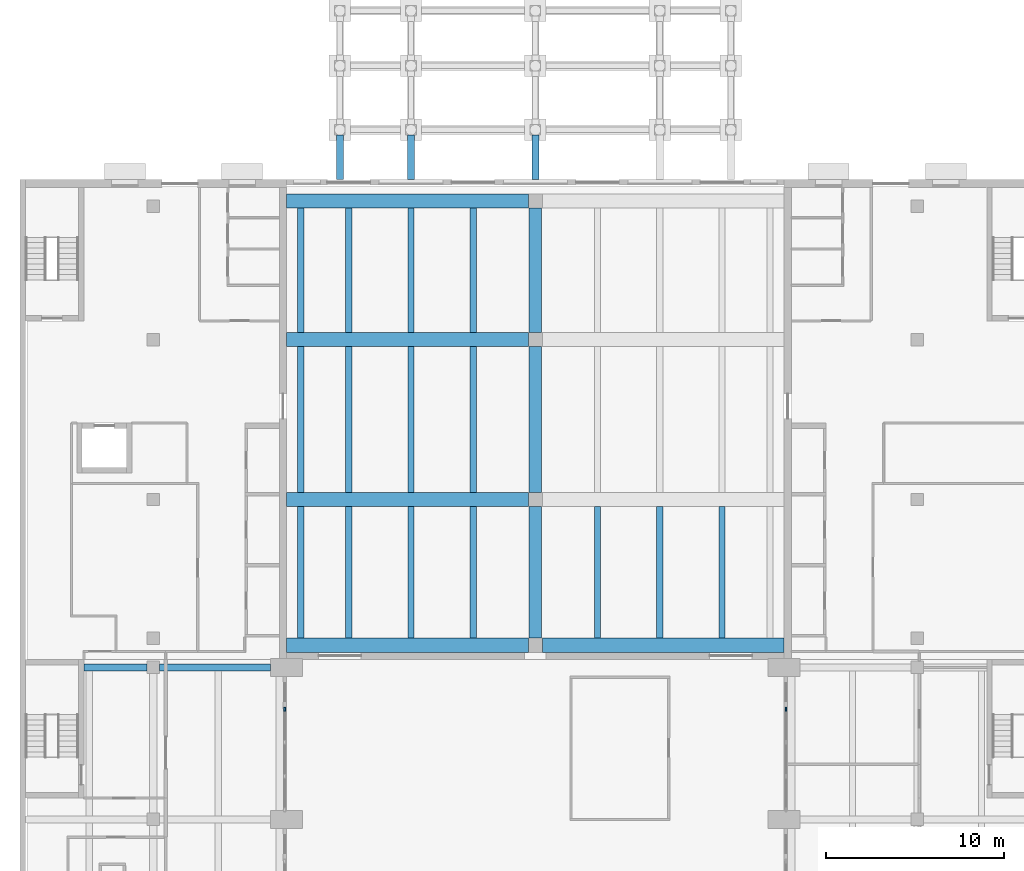
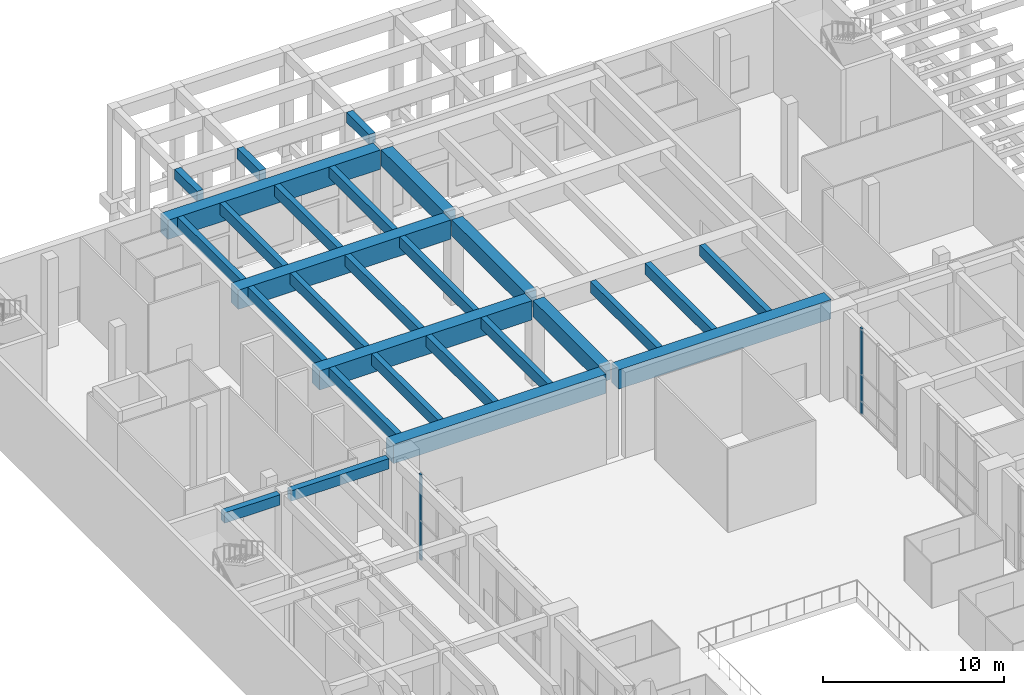
# One storey, part 20 of 51: 28 beams, 2 members, 2 elements without a shape of their own.
"""IFC4 building model written with IfcOpenShell, lengths in metres."""

from ifc_helpers import new_model, si_unit, direction, frame, origin, origin_2d, place, context, subcontext, project, spatial, rectangle, extrude, material, material_profile, profile_set, type_object, element, aggregate, save


model = new_model("IFC4")

# Units and contexts
model_context = context("Model", 3, precision=1e-05, world=origin(), true_north=direction((0.0, 1.0)))
body_context = subcontext(model_context, "Body", "Model", "MODEL_VIEW")
ifc_project = project(units=[si_unit("LENGTHUNIT", "METRE"), si_unit("AREAUNIT", "SQUARE_METRE"), si_unit("VOLUMEUNIT", "CUBIC_METRE"), si_unit("PLANEANGLEUNIT", "RADIAN"), si_unit("MASSUNIT", "GRAM", prefix="KILO")], contexts=[model_context])

# Site, building, storey
site_placement = place(None, origin())
site = spatial("IfcSite", under=ifc_project, at=site_placement, CompositionType="ELEMENT")
building_placement = place(site_placement, origin())
building = spatial("IfcBuilding", under=site, at=building_placement, Name="Elmora Arch Market Hall", CompositionType="ELEMENT")
storey_placement = place(building_placement, origin())
storey = spatial("IfcBuildingStorey", under=building, at=storey_placement, Name="L00", CompositionType="ELEMENT", Elevation=0.0)

# Beams
ifc_material_1 = material(Name="Concrete C32/40", Category="concrete")
ifc_material_profile_1 = material_profile(ifc_material_1, rectangle(XDim=0.800048828125, YDim=1.300048828125, at=origin_2d()), Name="Bridge girder 800x1300")
ifc_profile_set_1 = profile_set([ifc_material_profile_1], Name="Concrete C32/40")
beam_type_1 = type_object("IfcBeamType", Name="Bridge girder 800x1300", PredefinedType="BEAM", material=ifc_profile_set_1)
for number, where, z_axis, x_axis, name in (
    (1, (15.0, 99.800048828125, 5.14990234375), (1.0, 0.0, 0.0), (0.0, 1.0, 0.0), "Bridge girder NR1 L00.1"),
    (2, (29.39990234375, 99.800048828125, 5.14990234375), (1.0, 0.0, 0.0), (0.0, 1.0, 0.0), "Bridge girder NR1 L00.2"),
    (3, (15.0, 108.0, 5.14990234375), (1.0, 0.0, 0.0), (0.0, 1.0, 0.0), "Bridge girder NR2 L00.1"),
    (4, (15.0, 117.0, 5.14990234375), (1.0, 0.0, 0.0), (0.0, 1.0, 0.0), "Bridge girder NR3 L00.1"),
    (5, (15.0, 124.800048828125, 5.14990234375), (1.0, 0.0, 0.0), (0.0, 1.0, 0.0), "Bridge girder NR4 L00.1"),
):
    element("IfcBeam", number, at=place(storey_placement, frame(where, z_axis=z_axis, x_axis=x_axis)), inside=storey, type_object=beam_type_1, Name=name, PredefinedType="BEAM", context=body_context, shape_type="SweptSolid", body=[
        extrude(rectangle(XDim=0.800048828125, YDim=1.300048828125, at=origin_2d()), origin(), (0.0, 0.0, 1.0), 13.60009765625),
    ])
ifc_material_2 = material(Name="Concrete C32/40", Category="concrete")
ifc_material_profile_2 = material_profile(ifc_material_2, rectangle(XDim=0.35009765625, YDim=0.75, at=origin_2d()), Name="Bridge joist 350x750")
ifc_profile_set_2 = profile_set([ifc_material_profile_2], Name="Concrete C32/40")
beam_type_2 = type_object("IfcBeamType", Name="Bridge joist 350x750", PredefinedType="JOIST", material=ifc_profile_set_2)
beam_1_placement = place(storey_placement, frame((15.800048828125, 100.199951171875, 5.425048828125), z_axis=(0.0, 1.0, 0.0), x_axis=(-1.0, 0.0, 0.0)))
element("IfcBeam", 6, at=beam_1_placement, inside=storey, type_object=beam_type_2, Name="Bridge joist NJ1 L00.1", PredefinedType="JOIST", context=body_context, shape_type="SweptSolid", body=[
    extrude(rectangle(XDim=0.35009765625, YDim=0.75, at=origin_2d()), origin(), (0.0, 0.0, 1.0), 7.400146484375),
])
beam_2_placement = place(storey_placement, frame((15.800048828125, 108.39990234375, 5.425048828125), z_axis=(0.0, 1.0, 0.0), x_axis=(-1.0, 0.0, 0.0)))
element("IfcBeam", 7, at=beam_2_placement, inside=storey, type_object=beam_type_2, Name="Bridge joist NJ1 L00.2", PredefinedType="JOIST", context=body_context, shape_type="SweptSolid", body=[
    extrude(rectangle(XDim=0.35009765625, YDim=0.75, at=origin_2d()), origin(), (0.0, 0.0, 1.0), 8.2001953125),
])
beam_3_placement = place(storey_placement, frame((15.800048828125, 117.39990234375, 5.425048828125), z_axis=(0.0, 1.0, 0.0), x_axis=(-1.0, 0.0, 0.0)))
element("IfcBeam", 8, at=beam_3_placement, inside=storey, type_object=beam_type_2, Name="Bridge joist NJ1 L00.3", PredefinedType="JOIST", context=body_context, shape_type="SweptSolid", body=[
    extrude(rectangle(XDim=0.35009765625, YDim=0.75, at=origin_2d()), origin(), (0.0, 0.0, 1.0), 7.0),
])
beam_4_placement = place(storey_placement, frame((18.5, 100.199951171875, 5.425048828125), z_axis=(0.0, 1.0, 0.0), x_axis=(-1.0, 0.0, 0.0)))
element("IfcBeam", 9, at=beam_4_placement, inside=storey, type_object=beam_type_2, Name="Bridge joist NJ2 L00.1", PredefinedType="JOIST", context=body_context, shape_type="SweptSolid", body=[
    extrude(rectangle(XDim=0.35009765625, YDim=0.75, at=origin_2d()), origin(), (0.0, 0.0, 1.0), 7.400146484375),
])
beam_5_placement = place(storey_placement, frame((18.5, 108.39990234375, 5.425048828125), z_axis=(0.0, 1.0, 0.0), x_axis=(-1.0, 0.0, 0.0)))
element("IfcBeam", 10, at=beam_5_placement, inside=storey, type_object=beam_type_2, Name="Bridge joist NJ2 L00.2", PredefinedType="JOIST", context=body_context, shape_type="SweptSolid", body=[
    extrude(rectangle(XDim=0.35009765625, YDim=0.75, at=origin_2d()), origin(), (0.0, 0.0, 1.0), 8.2001953125),
])
beam_6_placement = place(storey_placement, frame((18.5, 117.39990234375, 5.425048828125), z_axis=(0.0, 1.0, 0.0), x_axis=(-1.0, 0.0, 0.0)))
element("IfcBeam", 11, at=beam_6_placement, inside=storey, type_object=beam_type_2, Name="Bridge joist NJ2 L00.3", PredefinedType="JOIST", context=body_context, shape_type="SweptSolid", body=[
    extrude(rectangle(XDim=0.35009765625, YDim=0.75, at=origin_2d()), origin(), (0.0, 0.0, 1.0), 7.0),
])
beam_7_placement = place(storey_placement, frame((22.0, 100.199951171875, 5.425048828125), z_axis=(0.0, 1.0, 0.0), x_axis=(-1.0, 0.0, 0.0)))
element("IfcBeam", 12, at=beam_7_placement, inside=storey, type_object=beam_type_2, Name="Bridge joist NJ3 L00.1", PredefinedType="JOIST", context=body_context, shape_type="SweptSolid", body=[
    extrude(rectangle(XDim=0.35009765625, YDim=0.75, at=origin_2d()), origin(), (0.0, 0.0, 1.0), 7.400146484375),
])
beam_8_placement = place(storey_placement, frame((22.0, 108.39990234375, 5.425048828125), z_axis=(0.0, 1.0, 0.0), x_axis=(-1.0, 0.0, 0.0)))
element("IfcBeam", 13, at=beam_8_placement, inside=storey, type_object=beam_type_2, Name="Bridge joist NJ3 L00.2", PredefinedType="JOIST", context=body_context, shape_type="SweptSolid", body=[
    extrude(rectangle(XDim=0.35009765625, YDim=0.75, at=origin_2d()), origin(), (0.0, 0.0, 1.0), 8.2001953125),
])
beam_9_placement = place(storey_placement, frame((22.0, 117.39990234375, 5.425048828125), z_axis=(0.0, 1.0, 0.0), x_axis=(-1.0, 0.0, 0.0)))
element("IfcBeam", 14, at=beam_9_placement, inside=storey, type_object=beam_type_2, Name="Bridge joist NJ3 L00.3", PredefinedType="JOIST", context=body_context, shape_type="SweptSolid", body=[
    extrude(rectangle(XDim=0.35009765625, YDim=0.75, at=origin_2d()), origin(), (0.0, 0.0, 1.0), 7.0),
])
beam_10_placement = place(storey_placement, frame((25.5, 100.199951171875, 5.425048828125), z_axis=(0.0, 1.0, 0.0), x_axis=(-1.0, 0.0, 0.0)))
element("IfcBeam", 15, at=beam_10_placement, inside=storey, type_object=beam_type_2, Name="Bridge joist NJ4 L00.1", PredefinedType="JOIST", context=body_context, shape_type="SweptSolid", body=[
    extrude(rectangle(XDim=0.35009765625, YDim=0.75, at=origin_2d()), origin(), (0.0, 0.0, 1.0), 7.400146484375),
])
beam_11_placement = place(storey_placement, frame((25.5, 108.39990234375, 5.425048828125), z_axis=(0.0, 1.0, 0.0), x_axis=(-1.0, 0.0, 0.0)))
element("IfcBeam", 16, at=beam_11_placement, inside=storey, type_object=beam_type_2, Name="Bridge joist NJ4 L00.2", PredefinedType="JOIST", context=body_context, shape_type="SweptSolid", body=[
    extrude(rectangle(XDim=0.35009765625, YDim=0.75, at=origin_2d()), origin(), (0.0, 0.0, 1.0), 8.2001953125),
])
beam_12_placement = place(storey_placement, frame((25.5, 117.39990234375, 5.425048828125), z_axis=(0.0, 1.0, 0.0), x_axis=(-1.0, 0.0, 0.0)))
element("IfcBeam", 17, at=beam_12_placement, inside=storey, type_object=beam_type_2, Name="Bridge joist NJ4 L00.3", PredefinedType="JOIST", context=body_context, shape_type="SweptSolid", body=[
    extrude(rectangle(XDim=0.35009765625, YDim=0.75, at=origin_2d()), origin(), (0.0, 0.0, 1.0), 7.0),
])
for number, where, z_axis, x_axis, name in (
    (18, (32.5, 100.199951171875, 5.425048828125), (0.0, 1.0, 0.0), (-1.0, 0.0, 0.0), "Bridge joist NJ5 L00.1"),
    (19, (36.0, 100.199951171875, 5.425048828125), (0.0, 1.0, 0.0), (-1.0, 0.0, 0.0), "Bridge joist NJ6 L00.1"),
    (20, (39.5, 100.199951171875, 5.425048828125), (0.0, 1.0, 0.0), (-1.0, 0.0, 0.0), "Bridge joist NJ7 L00.1"),
):
    element("IfcBeam", number, at=place(storey_placement, frame(where, z_axis=z_axis, x_axis=x_axis)), inside=storey, type_object=beam_type_2, Name=name, PredefinedType="JOIST", context=body_context, shape_type="SweptSolid", body=[
        extrude(rectangle(XDim=0.35009765625, YDim=0.75, at=origin_2d()), origin(), (0.0, 0.0, 1.0), 7.400146484375),
    ])
ifc_material_3 = material(Name="Concrete C32/40", Category="concrete")
ifc_material_profile_3 = material_profile(ifc_material_3, rectangle(XDim=0.39990234375, YDim=0.699951171875, at=origin_2d()), Name="Canopy beam 400x700")
ifc_profile_set_3 = profile_set([ifc_material_profile_3], Name="Concrete C32/40")
beam_type_3 = type_object("IfcBeamType", Name="Canopy beam 400x700", PredefinedType="BEAM", material=ifc_profile_set_3)
for number, where, z_axis, x_axis, name in (
    (21, (18.0, 126.0, 5.449951171875), (0.0, 1.0, 0.0), (-1.0, 0.0, 0.0), "Canopy beam CAN-GATE-B1 L00.1"),
    (22, (22.0, 126.0, 5.449951171875), (0.0, 1.0, 0.0), (-1.0, 0.0, 0.0), "Canopy beam CAN-GATE-B2 L00.1"),
    (23, (29.0, 126.0, 5.449951171875), (0.0, 1.0, 0.0), (-1.0, 0.0, 0.0), "Canopy beam CAN-GATE-B3 L00.1"),
):
    element("IfcBeam", number, at=place(storey_placement, frame(where, z_axis=z_axis, x_axis=x_axis)), inside=storey, type_object=beam_type_3, Name=name, PredefinedType="BEAM", context=body_context, shape_type="SweptSolid", body=[
        extrude(rectangle(XDim=0.39990234375, YDim=0.699951171875, at=origin_2d()), origin(), (0.0, 0.0, 1.0), 2.5),
    ])

# Curtain wall, member
ifc_material_4 = material(Name="Aluminium", Category="aluminium")
curtain_wall_type = type_object("IfcCurtainWallType", Name="Shopfront curtain wall", PredefinedType="NOTDEFINED", material=ifc_material_4)
curtain_wall_1_placement = place(storey_placement, origin())
curtain_wall_1 = element("IfcCurtainWall", 24, at=curtain_wall_1_placement, inside=storey, type_object=curtain_wall_type, Name="Shopfront W 8", PredefinedType="NOTDEFINED")
ifc_material_5 = material(Name="Aluminium", Category="aluminium")
ifc_material_profile_4 = material_profile(ifc_material_5, rectangle(XDim=0.10009765625, YDim=0.219970703125, at=origin_2d()), Name="AL 100x220")
ifc_profile_set_4 = profile_set([ifc_material_profile_4], Name="Aluminium")
member_type = type_object("IfcMemberType", Name="Mullion 100x220", PredefinedType="MULLION", material=ifc_profile_set_4)
member_1_placement = place(storey_placement, frame((14.89990234375, 96.199951171875, 0.0), z_axis=(0.0, 0.0, 1.0), x_axis=(-1.0, 0.0, 0.0)))
member_1 = element("IfcMember", 25, at=member_1_placement, type_object=member_type, Name="CW3 mullion 4", PredefinedType="MULLION", context=body_context, shape_type="SweptSolid", body=[
    extrude(rectangle(XDim=0.10009765625, YDim=0.219970703125, at=origin_2d()), origin(), (0.0, 0.0, 1.0), 5.800048828125),
])
aggregate(curtain_wall_1, [member_1])

curtain_wall_2_placement = place(storey_placement, origin())
curtain_wall_2 = element("IfcCurtainWall", 26, at=curtain_wall_2_placement, inside=storey, type_object=curtain_wall_type, Name="Shopfront E 8", PredefinedType="NOTDEFINED")
member_2_placement = place(storey_placement, frame((43.10009765625, 96.199951171875, 0.0), z_axis=(0.0, 0.0, 1.0), x_axis=(-1.0, 0.0, 0.0)))
member_2 = element("IfcMember", 27, at=member_2_placement, type_object=member_type, Name="CW3 mullion 4", PredefinedType="MULLION", context=body_context, shape_type="SweptSolid", body=[
    extrude(rectangle(XDim=0.10009765625, YDim=0.219970703125, at=origin_2d()), origin(), (0.0, 0.0, 1.0), 5.800048828125),
])
aggregate(curtain_wall_2, [member_2])

# Beams
ifc_material_6 = material(Name="Concrete C32/40", Category="concrete")
ifc_material_profile_5 = material_profile(ifc_material_6, rectangle(XDim=0.699951171875, YDim=1.10009765625, at=origin_2d()), Name="Spine girder 700x1100")
ifc_profile_set_5 = profile_set([ifc_material_profile_5], Name="Concrete C32/40")
beam_type_4 = type_object("IfcBeamType", Name="Spine girder 700x1100", PredefinedType="BEAM", material=ifc_profile_set_5)
beam_13_placement = place(storey_placement, frame((29.0, 100.199951171875, 5.25), z_axis=(0.0, 1.0, 0.0), x_axis=(-1.0, 0.0, 0.0)))
element("IfcBeam", 28, at=beam_13_placement, inside=storey, type_object=beam_type_4, Name="Spine girder NSP L00.1", PredefinedType="BEAM", context=body_context, shape_type="SweptSolid", body=[
    extrude(rectangle(XDim=0.699951171875, YDim=1.10009765625, at=origin_2d()), origin(), (0.0, 0.0, 1.0), 7.400146484375),
])
beam_14_placement = place(storey_placement, frame((29.0, 108.39990234375, 5.25), z_axis=(0.0, 1.0, 0.0), x_axis=(-1.0, 0.0, 0.0)))
element("IfcBeam", 29, at=beam_14_placement, inside=storey, type_object=beam_type_4, Name="Spine girder NSP L00.2", PredefinedType="BEAM", context=body_context, shape_type="SweptSolid", body=[
    extrude(rectangle(XDim=0.699951171875, YDim=1.10009765625, at=origin_2d()), origin(), (0.0, 0.0, 1.0), 8.2001953125),
])
beam_15_placement = place(storey_placement, frame((29.0, 117.39990234375, 5.25), z_axis=(0.0, 1.0, 0.0), x_axis=(-1.0, 0.0, 0.0)))
element("IfcBeam", 30, at=beam_15_placement, inside=storey, type_object=beam_type_4, Name="Spine girder NSP L00.3", PredefinedType="BEAM", context=body_context, shape_type="SweptSolid", body=[
    extrude(rectangle(XDim=0.699951171875, YDim=1.10009765625, at=origin_2d()), origin(), (0.0, 0.0, 1.0), 7.0),
])
ifc_material_7 = material(Name="Concrete C32/40", Category="concrete")
ifc_material_profile_6 = material_profile(ifc_material_7, rectangle(XDim=0.39990234375, YDim=0.699951171875, at=origin_2d()), Name="Wing beam 400x700")
ifc_profile_set_6 = profile_set([ifc_material_profile_6], Name="Concrete C32/40")
beam_type_5 = type_object("IfcBeamType", Name="Wing beam 400x700", PredefinedType="BEAM", material=ifc_profile_set_6)
beam_16_placement = place(storey_placement, frame((3.60009765625, 98.550048828125, 5.449951171875), z_axis=(1.0, 0.0, 0.0), x_axis=(0.0, 1.0, 0.0)))
element("IfcBeam", 31, at=beam_16_placement, inside=storey, type_object=beam_type_5, Name="Wing beam WR9 L00.1", PredefinedType="BEAM", context=body_context, shape_type="SweptSolid", body=[
    extrude(rectangle(XDim=0.39990234375, YDim=0.699951171875, at=origin_2d()), origin(), (0.0, 0.0, 1.0), 3.5498046875),
])
beam_17_placement = place(storey_placement, frame((7.85009765625, 98.550048828125, 5.449951171875), z_axis=(1.0, 0.0, 0.0), x_axis=(0.0, 1.0, 0.0)))
element("IfcBeam", 32, at=beam_17_placement, inside=storey, type_object=beam_type_5, Name="Wing beam WR9 L00.2", PredefinedType="BEAM", context=body_context, shape_type="SweptSolid", body=[
    extrude(rectangle(XDim=0.39990234375, YDim=0.699951171875, at=origin_2d()), origin(), (0.0, 0.0, 1.0), 6.25),
])

save(model, "model.ifc")
